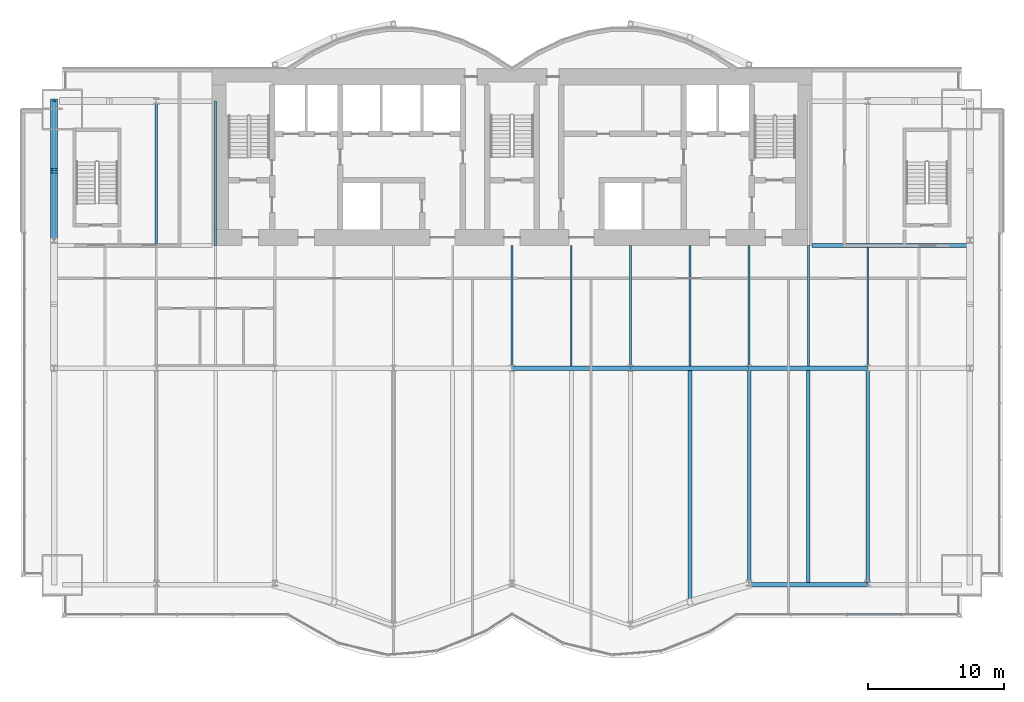
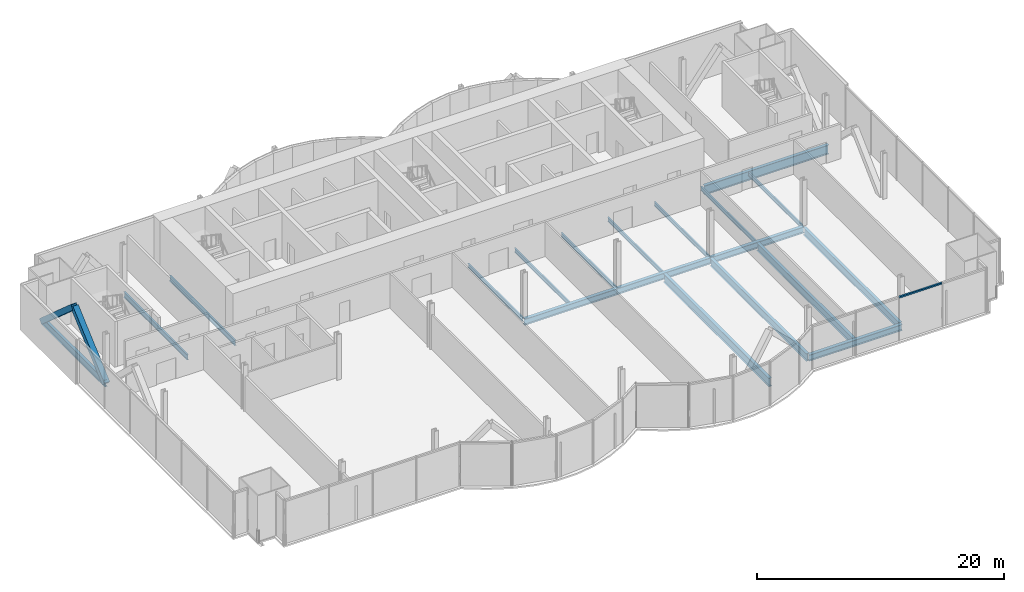
# One storey, part 9 of 21: 19 beams, 3 members, 1 element without a shape of its own.
"""IFC4 building model written with IfcOpenShell, lengths in metres."""

from ifc_helpers import new_model, si_unit, direction, frame, origin, origin_2d, place, context, subcontext, project, spatial, rectangle, hollow_rectangle, i_section, extrude, material, material_profile, profile_set, type_object, element, aggregate, save


model = new_model("IFC4")

# Units and contexts
model_context = context("Model", 3, precision=1e-05, world=origin(), true_north=direction((0.0, 1.0)))
body_context = subcontext(model_context, "Body", "Model", "MODEL_VIEW")
ifc_project = project(units=[si_unit("LENGTHUNIT", "METRE"), si_unit("AREAUNIT", "SQUARE_METRE"), si_unit("VOLUMEUNIT", "CUBIC_METRE"), si_unit("PLANEANGLEUNIT", "RADIAN"), si_unit("MASSUNIT", "GRAM", prefix="KILO")], contexts=[model_context])

# Site, building, storey
site_placement = place(None, origin())
site = spatial("IfcSite", under=ifc_project, at=site_placement, CompositionType="ELEMENT")
building_placement = place(site_placement, origin())
building = spatial("IfcBuilding", under=site, at=building_placement, Name="Bicima Exchange Tower", CompositionType="ELEMENT")
storey_placement = place(building_placement, frame((0.0, 0.0, 66.5)))
storey = spatial("IfcBuildingStorey", under=building, at=storey_placement, Name="L13", CompositionType="ELEMENT", Elevation=66.5)

# Beams
ifc_material_1 = material(Name="Steel ASTM A992 Gr 50", Category="steel")
ifc_material_profile_1 = material_profile(ifc_material_1, i_section(OverallWidth=0.3046875, OverallDepth=0.911865234375, WebThickness=0.015869140625, FlangeThickness=0.02392578125, at=origin_2d()))
ifc_profile_set_1 = profile_set([ifc_material_profile_1], Name="Steel ASTM A992 Gr 50")
beam_type_1 = type_object("IfcBeamType", Name="Core-line girder W36x150", PredefinedType="BEAM", material=ifc_profile_set_1)
beam_1_placement = place(storey_placement, frame((22.0, -13.0, -0.60595703125), z_axis=(1.0, 0.0, 0.0), x_axis=(0.0, 1.0, 0.0)))
element("IfcBeam", 1, at=beam_1_placement, inside=storey, type_object=beam_type_1, Name="Core-line girder", PredefinedType="BEAM", context=body_context, shape_type="SweptSolid", body=[
    extrude(i_section(OverallWidth=0.3046875, OverallDepth=0.911865234375, WebThickness=0.015869140625, FlangeThickness=0.02392578125, at=origin_2d()), origin(), (0.0, 0.0, 1.0), 11.60009765625),
])
ifc_material_profile_2 = material_profile(ifc_material_1, i_section(OverallWidth=0.256591796875, OverallDepth=0.693359375, WebThickness=0.014404296875, FlangeThickness=0.023681640625, at=origin_2d()))
ifc_profile_set_2 = profile_set([ifc_material_profile_2], Name="Steel ASTM A992 Gr 50")
beam_type_2 = type_object("IfcBeamType", Name="End girder W27x114", PredefinedType="BEAM", material=ifc_profile_set_2)
beam_2_placement = place(storey_placement, frame((-33.60009765625, -2.39990234375, -0.49658203125), z_axis=(0.0, -1.0, 0.0), x_axis=(1.0, 0.0, 0.0)))
element("IfcBeam", 2, at=beam_2_placement, inside=storey, type_object=beam_type_2, Name="End girder", PredefinedType="BEAM", context=body_context, shape_type="SweptSolid", body=[
    extrude(i_section(OverallWidth=0.256591796875, OverallDepth=0.693359375, WebThickness=0.014404296875, FlangeThickness=0.023681640625, at=origin_2d()), origin(), (0.0, 0.0, 1.0), 10.2001953125),
])
ifc_material_profile_3 = material_profile(ifc_material_1, i_section(OverallWidth=0.140380859375, OverallDepth=0.40380859375, WebThickness=0.007080078125, FlangeThickness=0.01123046875, at=origin_2d()))
ifc_profile_set_3 = profile_set([ifc_material_profile_3], Name="Steel ASTM A992 Gr 50")
beam_type_3 = type_object("IfcBeamType", Name="Floor beam W16x31", PredefinedType="JOIST", material=ifc_profile_set_3)
for number, where, z_axis, x_axis, name in (
    (3, (0.0, -13.0, -0.351806640625), (0.0, -1.0, 0.0), (1.0, 0.0, 0.0), "Floor beam"),
    (4, (4.35009765625, -13.0, -0.351806640625), (0.0, -1.0, 0.0), (1.0, 0.0, 0.0), "Floor beam"),
    (5, (8.699951171875, -13.0, -0.351806640625), (0.0, -1.0, 0.0), (1.0, 0.0, 0.0), "Floor beam"),
    (6, (13.050048828125, -13.0, -0.351806640625), (0.0, -1.0, 0.0), (1.0, 0.0, 0.0), "Floor beam"),
    (7, (17.39990234375, -13.0, -0.351806640625), (0.0, -1.0, 0.0), (1.0, 0.0, 0.0), "Floor beam"),
    (8, (21.75, -13.0, -0.351806640625), (0.0, -1.0, 0.0), (1.0, 0.0, 0.0), "Floor beam"),
):
    element("IfcBeam", number, at=place(storey_placement, frame(where, z_axis=z_axis, x_axis=x_axis)), inside=storey, type_object=beam_type_3, Name=name, PredefinedType="JOIST", context=body_context, shape_type="SweptSolid", body=[
        extrude(i_section(OverallWidth=0.140380859375, OverallDepth=0.40380859375, WebThickness=0.007080078125, FlangeThickness=0.01123046875, at=origin_2d()), origin(), (0.0, 0.0, 1.0), 8.83740234375),
    ])
beam_3_placement = place(storey_placement, frame((26.10009765625, -13.15234375, -0.351806640625), z_axis=(0.0, -1.0, 0.0), x_axis=(1.0, 0.0, 0.0)))
element("IfcBeam", 9, at=beam_3_placement, inside=storey, type_object=beam_type_3, Name="Floor beam", PredefinedType="JOIST", context=body_context, shape_type="SweptSolid", body=[
    extrude(i_section(OverallWidth=0.140380859375, OverallDepth=0.40380859375, WebThickness=0.007080078125, FlangeThickness=0.01123046875, at=origin_2d()), origin(), (0.0, 0.0, 1.0), 8.68505859375),
])
ifc_material_profile_4 = material_profile(ifc_material_1, i_section(OverallWidth=0.165771484375, OverallDepth=0.5283203125, WebThickness=0.009765625, FlangeThickness=0.013671875, at=origin_2d()))
ifc_profile_set_4 = profile_set([ifc_material_profile_4], Name="Steel ASTM A992 Gr 50")
beam_type_4 = type_object("IfcBeamType", Name="Floor beam W21x50", PredefinedType="JOIST", material=ifc_profile_set_4)
beam_4_placement = place(storey_placement, frame((-26.10009765625, -2.5625, -0.414306640625), z_axis=(0.0, -1.0, 0.0), x_axis=(1.0, 0.0, 0.0)))
element("IfcBeam", 10, at=beam_4_placement, inside=storey, type_object=beam_type_4, Name="Floor beam", PredefinedType="JOIST", context=body_context, shape_type="SweptSolid", body=[
    extrude(i_section(OverallWidth=0.165771484375, OverallDepth=0.5283203125, WebThickness=0.009765625, FlangeThickness=0.013671875, at=origin_2d()), origin(), (0.0, 0.0, 1.0), 10.28515625),
])
beam_5_placement = place(storey_placement, frame((-21.75, -2.39990234375, -0.414306640625), z_axis=(0.0, -1.0, 0.0), x_axis=(1.0, 0.0, 0.0)))
element("IfcBeam", 11, at=beam_5_placement, inside=storey, type_object=beam_type_4, Name="Floor beam", PredefinedType="JOIST", context=body_context, shape_type="SweptSolid", body=[
    extrude(i_section(OverallWidth=0.165771484375, OverallDepth=0.5283203125, WebThickness=0.009765625, FlangeThickness=0.013671875, at=origin_2d()), origin(), (0.0, 0.0, 1.0), 10.60009765625),
])
ifc_material_profile_5 = material_profile(ifc_material_1, i_section(OverallWidth=0.2666015625, OverallDepth=0.75439453125, WebThickness=0.01318359375, FlangeThickness=0.01708984375, at=origin_2d()))
ifc_profile_set_5 = profile_set([ifc_material_profile_5], Name="Steel ASTM A992 Gr 50")
beam_type_5 = type_object("IfcBeamType", Name="Floor beam W30x99", PredefinedType="JOIST", material=ifc_profile_set_5)
beam_6_placement = place(storey_placement, frame((17.39990234375, -22.16259765625, -0.527099609375), z_axis=(0.0, -1.0, 0.0), x_axis=(1.0, 0.0, 0.0)))
element("IfcBeam", 12, at=beam_6_placement, inside=storey, type_object=beam_type_5, Name="Floor beam", PredefinedType="JOIST", context=body_context, shape_type="SweptSolid", body=[
    extrude(i_section(OverallWidth=0.2666015625, OverallDepth=0.75439453125, WebThickness=0.01318359375, FlangeThickness=0.01708984375, at=origin_2d()), origin(), (0.0, 0.0, 1.0), 15.59375),
])
for number, where, z_axis, x_axis, name in (
    (13, (21.75, -22.16259765625, -0.527099609375), (0.0, -1.0, 0.0), (1.0, 0.0, 0.0), "Floor beam"),
    (14, (26.10009765625, -22.16259765625, -0.527099609375), (0.0, -1.0, 0.0), (1.0, 0.0, 0.0), "Floor beam"),
):
    element("IfcBeam", number, at=place(storey_placement, frame(where, z_axis=z_axis, x_axis=x_axis)), inside=storey, type_object=beam_type_5, Name=name, PredefinedType="JOIST", context=body_context, shape_type="SweptSolid", body=[
        extrude(i_section(OverallWidth=0.2666015625, OverallDepth=0.75439453125, WebThickness=0.01318359375, FlangeThickness=0.01708984375, at=origin_2d()), origin(), (0.0, 0.0, 1.0), 15.56689453125),
    ])
ifc_material_profile_6 = material_profile(ifc_material_1, i_section(OverallWidth=0.2919921875, OverallDepth=0.835693359375, WebThickness=0.013916015625, FlangeThickness=0.018798828125, at=origin_2d()))
ifc_profile_set_6 = profile_set([ifc_material_profile_6], Name="Steel ASTM A992 Gr 50")
beam_type_6 = type_object("IfcBeamType", Name="Floor beam W33x118", PredefinedType="JOIST", material=ifc_profile_set_6)
beam_7_placement = place(storey_placement, frame((13.050048828125, -22.16259765625, -0.56787109375), z_axis=(0.0, -1.0, 0.0), x_axis=(1.0, 0.0, 0.0)))
element("IfcBeam", 15, at=beam_7_placement, inside=storey, type_object=beam_type_6, Name="Floor beam", PredefinedType="JOIST", context=body_context, shape_type="SweptSolid", body=[
    extrude(i_section(OverallWidth=0.2919921875, OverallDepth=0.835693359375, WebThickness=0.013916015625, FlangeThickness=0.018798828125, at=origin_2d()), origin(), (0.0, 0.0, 1.0), 17.08935546875),
])
ifc_material_profile_7 = material_profile(ifc_material_1, i_section(OverallWidth=0.3251953125, OverallDepth=0.612060546875, WebThickness=0.0126953125, FlangeThickness=0.01904296875, at=origin_2d()))
ifc_profile_set_7 = profile_set([ifc_material_profile_7], Name="Steel ASTM A992 Gr 50")
beam_type_7 = type_object("IfcBeamType", Name="Front girder W24x104", PredefinedType="BEAM", material=ifc_profile_set_7)
beam_8_placement = place(storey_placement, frame((17.39990234375, -37.89208984375, -0.4560546875), z_axis=(1.0, 0.0, 0.0), x_axis=(0.0, 1.0, 0.0)))
element("IfcBeam", 16, at=beam_8_placement, inside=storey, type_object=beam_type_7, Name="Front girder", PredefinedType="BEAM", context=body_context, shape_type="SweptSolid", body=[
    extrude(i_section(OverallWidth=0.3251953125, OverallDepth=0.612060546875, WebThickness=0.0126953125, FlangeThickness=0.01904296875, at=origin_2d()), origin(), (0.0, 0.0, 1.0), 8.7001953125),
])

# Curtain wall, member
ifc_material_2 = material(Name="Anodised bronze aluminium", Category="aluminium")
curtain_wall_type = type_object("IfcCurtainWallType", Name="Front glass wall", PredefinedType="NOTDEFINED", material=ifc_material_2)
curtain_wall_placement = place(storey_placement, origin())
curtain_wall = element("IfcCurtainWall", 17, at=curtain_wall_placement, inside=storey, type_object=curtain_wall_type, Name="Front glass wall L13 run 16", PredefinedType="NOTDEFINED")
ifc_material_profile_8 = material_profile(ifc_material_2, rectangle(XDim=0.159912109375, YDim=0.139892578125, at=origin_2d()))
ifc_profile_set_8 = profile_set([ifc_material_profile_8], Name="Anodised bronze aluminium")
member_type_1 = type_object("IfcMemberType", Name="Front glass wall transom 140 x 160", PredefinedType="USERDEFINED", material=ifc_profile_set_8)
member_placement = place(storey_placement, frame((24.591064453125, -40.06201171875, 4.280029296875), z_axis=(1.0, 0.0, 0.0), x_axis=(0.0, 1.0, 0.0)))
member = element("IfcMember", 18, at=member_placement, type_object=member_type_1, Name="Front glass wall transom 3.1", ObjectType="TRANSOM", PredefinedType="USERDEFINED", context=body_context, shape_type="SweptSolid", body=[
    extrude(rectangle(XDim=0.159912109375, YDim=0.139892578125, at=origin_2d()), origin(), (0.0, 0.0, 1.0), 3.989501953125),
])
aggregate(curtain_wall, [member])

# Members
ifc_material_3 = material(Name="Steel ASTM A572 Gr 50", Category="steel")
ifc_material_profile_9 = material_profile(ifc_material_3, hollow_rectangle(XDim=0.508056640625, YDim=0.508056640625, WallThickness=0.017822265625, at=origin_2d()))
ifc_profile_set_9 = profile_set([ifc_material_profile_9], Name="Steel ASTM A572 Gr 50")
member_type_2 = type_object("IfcMemberType", Name="Mega brace HSS20x20x3/4", PredefinedType="BRACE", material=ifc_profile_set_9)
for number, where, z_axis, x_axis, name in (
    (19, (-33.60009765625, -2.39990234375, -0.49658203125), (0.0, -0.749844140428, 0.661614513948), (1.0, 0.0, 0.0), "Mega brace west end"),
    (20, (-33.60009765625, -12.60009765625, -0.49658203125), (0.0, 0.749844140428, 0.661614513948), (-1.0, 0.0, 0.0), "Mega brace west end"),
):
    element("IfcMember", number, at=place(storey_placement, frame(where, z_axis=z_axis, x_axis=x_axis)), inside=storey, type_object=member_type_2, Name=name, PredefinedType="BRACE", context=body_context, shape_type="SweptSolid", body=[
        extrude(hollow_rectangle(XDim=0.508056640625, YDim=0.508056640625, WallThickness=0.017822265625, at=origin_2d()), origin(), (0.0, 0.0, 1.0), 6.801513671875),
    ])

# Beams
beam_type_8 = type_object("IfcBeamType", Name="Row girder W24x104", PredefinedType="BEAM", material=ifc_profile_set_7)
for number, where, z_axis, x_axis, name in (
    (21, (0.0, -22.0, -0.4560546875), (1.0, 0.0, 0.0), (0.0, 1.0, 0.0), "Row girder"),
    (22, (8.699951171875, -22.0, -0.4560546875), (1.0, 0.0, 0.0), (0.0, 1.0, 0.0), "Row girder"),
):
    element("IfcBeam", number, at=place(storey_placement, frame(where, z_axis=z_axis, x_axis=x_axis)), inside=storey, type_object=beam_type_8, Name=name, PredefinedType="BEAM", context=body_context, shape_type="SweptSolid", body=[
        extrude(i_section(OverallWidth=0.3251953125, OverallDepth=0.612060546875, WebThickness=0.0126953125, FlangeThickness=0.01904296875, at=origin_2d()), origin(), (0.0, 0.0, 1.0), 8.699951171875),
    ])
beam_9_placement = place(storey_placement, frame((17.39990234375, -22.0, -0.4560546875), z_axis=(1.0, 0.0, 0.0), x_axis=(0.0, 1.0, 0.0)))
element("IfcBeam", 23, at=beam_9_placement, inside=storey, type_object=beam_type_8, Name="Row girder", PredefinedType="BEAM", context=body_context, shape_type="SweptSolid", body=[
    extrude(i_section(OverallWidth=0.3251953125, OverallDepth=0.612060546875, WebThickness=0.0126953125, FlangeThickness=0.01904296875, at=origin_2d()), origin(), (0.0, 0.0, 1.0), 8.7001953125),
])

save(model, "model.ifc")
